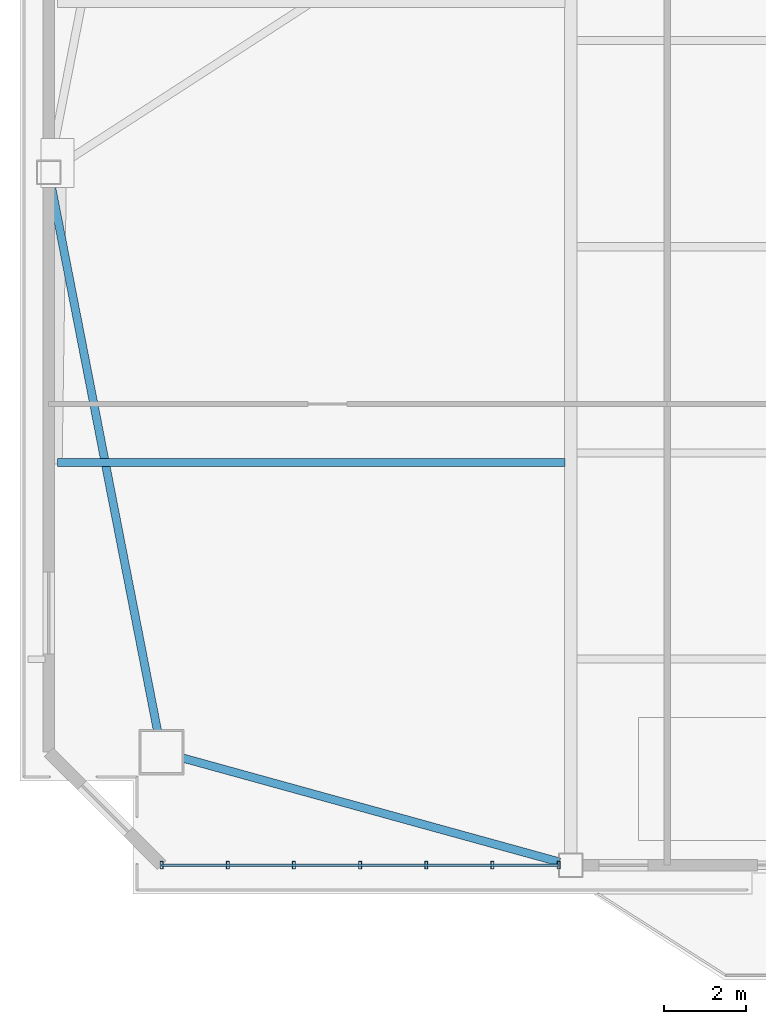
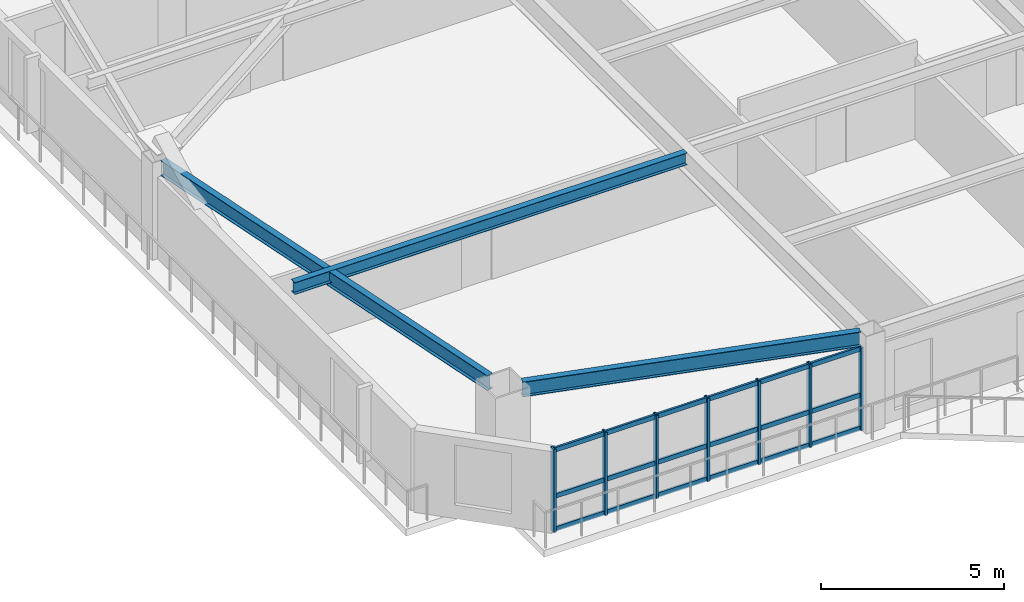
# One storey, part 2 of 17: 10 members, 3 beams, 1 element without a shape of its own.
"""IFC4 building model written with IfcOpenShell, lengths in metres."""

from ifc_helpers import new_model, si_unit, direction, frame, origin, origin_2d, place, context, subcontext, project, spatial, hollow_rectangle, i_section, extrude, source, transform, mapped, material, layer, layer_set, material_profile, profile_set, type_object, element, aggregate, save


model = new_model("IFC4")

# Units and contexts
model_context = context("Model", 3, precision=1e-05, world=origin(), true_north=direction((0.0, 1.0)))
body_context = subcontext(model_context, "Body", "Model", "MODEL_VIEW")
ifc_project = project(units=[si_unit("LENGTHUNIT", "METRE"), si_unit("AREAUNIT", "SQUARE_METRE"), si_unit("VOLUMEUNIT", "CUBIC_METRE"), si_unit("PLANEANGLEUNIT", "RADIAN"), si_unit("MASSUNIT", "GRAM", prefix="KILO")], contexts=[model_context])

# Site, building, storey
site_placement = place(None, origin())
site = spatial("IfcSite", under=ifc_project, at=site_placement, CompositionType="ELEMENT")
building_placement = place(site_placement, origin())
building = spatial("IfcBuilding", under=site, at=building_placement, Name="Giltprow Tower", CompositionType="ELEMENT")
storey_placement = place(building_placement, frame((0.0, 0.0, 216.699951171875)))
storey = spatial("IfcBuildingStorey", under=building, at=storey_placement, Name="L55", CompositionType="ELEMENT", Elevation=216.699951171875)

# Beams
ifc_material_1 = material(Name="Structural steel Q355B", Category="steel")
ifc_material_profile_1 = material_profile(ifc_material_1, i_section(OverallWidth=0.199951171875, OverallDepth=0.5, WebThickness=0.010009765625, FlangeThickness=0.01611328125, at=origin_2d()), Name="HN 500x200x10x16")
ifc_profile_set_1 = profile_set([ifc_material_profile_1], Name="Structural steel Q355B")
beam_type_1 = type_object("IfcBeamType", Name="BM-SPAN-HN500", PredefinedType="SPANDREL", material=ifc_profile_set_1)
shared_shape_1 = source(origin(), body_context, "Body", "SweptSolid", [
    extrude(i_section(OverallWidth=0.199951171875, OverallDepth=0.5, WebThickness=0.010009765625, FlangeThickness=0.01611328125, at=origin_2d()), origin(), (0.0, 0.0, 1.0), 9.530517578125),
])
beam_1_placement = place(storey_placement, frame((10.387939453125, 14.929931640625, 2.989990234375), z_axis=(0.963951167116, -0.266079212672, 0.0), x_axis=(0.266079212672, 0.963951167116, 0.0)))
element("IfcBeam", 1, at=beam_1_placement, inside=storey, type_object=beam_type_1, Name="L55 Perimeter Spandrel Beam MC_SW-S1", PredefinedType="SPANDREL", context=body_context, shape_type="MappedRepresentation", body=[
    mapped(shared_shape_1, transform((0.0, 0.0, 0.0), x_axis=(1.0, 0.0, 0.0), y_axis=(0.0, 1.0, 0.0), z_axis=(0.0, 0.0, 1.0), scale=1.0)),
])
shared_shape_2 = source(origin(), body_context, "Body", "SweptSolid", [
    extrude(i_section(OverallWidth=0.199951171875, OverallDepth=0.5, WebThickness=0.010009765625, FlangeThickness=0.01611328125, at=origin_2d()), origin(), (0.0, 0.0, 1.0), 13.582763671875),
])
beam_2_placement = place(storey_placement, frame((7.172119140625, 28.928955078125, 2.989990234375), z_axis=(0.19126414203, -0.981538602386, 0.0), x_axis=(0.981538602386, 0.19126414203, 0.0)))
element("IfcBeam", 2, at=beam_2_placement, inside=storey, type_object=beam_type_1, Name="L55 Perimeter Spandrel Beam W_MID-MC_SW", PredefinedType="SPANDREL", context=body_context, shape_type="MappedRepresentation", body=[
    mapped(shared_shape_2, transform((0.0, 0.0, 0.0), x_axis=(1.0, 0.0, 0.0), y_axis=(0.0, 1.0, 0.0), z_axis=(0.0, 0.0, 1.0), scale=1.0)),
])
ifc_material_profile_2 = material_profile(ifc_material_1, i_section(OverallWidth=0.199951171875, OverallDepth=0.39990234375, WebThickness=0.008056640625, FlangeThickness=0.012939453125, at=origin_2d()), Name="HN 400x200x8x13")
ifc_profile_set_2 = profile_set([ifc_material_profile_2], Name="Structural steel Q355B")
beam_type_2 = type_object("IfcBeamType", Name="BM-JOIST-HN400", PredefinedType="JOIST", material=ifc_profile_set_2)
shared_shape_3 = source(origin(), body_context, "Body", "SweptSolid", [
    extrude(i_section(OverallWidth=0.199951171875, OverallDepth=0.39990234375, WebThickness=0.008056640625, FlangeThickness=0.012939453125, at=origin_2d()), origin(), (0.0, 0.0, 1.0), 12.3671875),
])
beam_3_placement = place(storey_placement, frame((7.337890625, 22.139892578125, 3.0400390625), z_axis=(1.0, 0.0, 0.0), x_axis=(0.0, 1.0, 0.0)))
element("IfcBeam", 3, at=beam_3_placement, inside=storey, type_object=beam_type_2, Name="L55 West Wing Floor Joist 1", PredefinedType="JOIST", context=body_context, shape_type="MappedRepresentation", body=[
    mapped(shared_shape_3, transform((0.0, 0.0, 0.0), x_axis=(1.0, 0.0, 0.0), y_axis=(0.0, 1.0, 0.0), z_axis=(0.0, 0.0, 1.0), scale=1.0)),
])

# Curtain wall, members
ifc_material_2 = material(Name="Anodized bronze", Category="metal")
ifc_layer = layer(ifc_material_2, 0.179931640625, Name="Anodized bronze")
ifc_layer_set = layer_set([ifc_layer], Name="Anodized bronze")
curtain_wall_type = type_object("IfcCurtainWallType", Name="CW-HTL-BRONZE", PredefinedType="NOTDEFINED", material=ifc_layer_set)
curtain_wall_placement = place(storey_placement, origin())
curtain_wall = element("IfcCurtainWall", 4, at=curtain_wall_placement, inside=storey, type_object=curtain_wall_type, Name="L55 South Recessed Curtain Wall 1", PredefinedType="NOTDEFINED")
ifc_material_profile_3 = material_profile(ifc_material_2, hollow_rectangle(XDim=0.06494140625, YDim=0.14990234375, WallThickness=0.006103515625, at=origin_2d()), Name="RHS 150x65x6")
ifc_profile_set_3 = profile_set([ifc_material_profile_3], Name="Anodized bronze")
member_type_1 = type_object("IfcMemberType", Name="CW-TRANSOM-150x65", PredefinedType="USERDEFINED", material=ifc_profile_set_3)
shared_shape_4 = source(origin(), body_context, "Body", "SweptSolid", [
    extrude(hollow_rectangle(XDim=0.06494140625, YDim=0.14990234375, WallThickness=0.006103515625, at=origin_2d()), origin(), (0.0, 0.0, 1.0), 9.677978515625),
])
member_1_placement = place(storey_placement, frame((9.8720703125, 12.318115234375, 0.0400390625), z_axis=(1.0, 0.0, 0.0), x_axis=(0.0, 1.0, 0.0)))
member_1 = element("IfcMember", 5, at=member_1_placement, type_object=member_type_1, Name="L55 South Recessed Curtain Wall 1 Transom 1", ObjectType="TRANSOM", PredefinedType="USERDEFINED", context=body_context, shape_type="MappedRepresentation", body=[
    mapped(shared_shape_4, transform((0.0, 0.0, 0.0), x_axis=(1.0, 0.0, 0.0), y_axis=(0.0, 1.0, 0.0), z_axis=(0.0, 0.0, 1.0), scale=1.0)),
])
member_2_placement = place(storey_placement, frame((9.8720703125, 12.318115234375, 1.14208984375), z_axis=(1.0, 0.0, 0.0), x_axis=(0.0, 1.0, 0.0)))
member_2 = element("IfcMember", 6, at=member_2_placement, type_object=member_type_1, Name="L55 South Recessed Curtain Wall 1 Transom 2", ObjectType="TRANSOM", PredefinedType="USERDEFINED", context=body_context, shape_type="MappedRepresentation", body=[
    mapped(shared_shape_4, transform((0.0, 0.0, 0.0), x_axis=(1.0, 0.0, 0.0), y_axis=(0.0, 1.0, 0.0), z_axis=(0.0, 0.0, 1.0), scale=1.0)),
])
member_3_placement = place(storey_placement, frame((9.8720703125, 12.318115234375, 2.679931640625), z_axis=(1.0, 0.0, 0.0), x_axis=(0.0, 1.0, 0.0)))
member_3 = element("IfcMember", 7, at=member_3_placement, type_object=member_type_1, Name="L55 South Recessed Curtain Wall 1 Transom 3", ObjectType="TRANSOM", PredefinedType="USERDEFINED", context=body_context, shape_type="MappedRepresentation", body=[
    mapped(shared_shape_4, transform((0.0, 0.0, 0.0), x_axis=(1.0, 0.0, 0.0), y_axis=(0.0, 1.0, 0.0), z_axis=(0.0, 0.0, 1.0), scale=1.0)),
])
ifc_material_profile_4 = material_profile(ifc_material_2, hollow_rectangle(XDim=0.074951171875, YDim=0.179931640625, WallThickness=0.008056640625, at=origin_2d()), Name="RHS 180x75x8")
ifc_profile_set_4 = profile_set([ifc_material_profile_4], Name="Anodized bronze")
member_type_2 = type_object("IfcMemberType", Name="CW-MULLION-180x75", PredefinedType="MULLION", material=ifc_profile_set_4)
shared_shape_5 = source(origin(), body_context, "Body", "SweptSolid", [
    extrude(hollow_rectangle(XDim=0.074951171875, YDim=0.179931640625, WallThickness=0.008056640625, at=origin_2d()), origin(), (0.0, 0.0, 1.0), 2.775146484375),
])
member_4_placement = place(storey_placement, frame((9.8720703125, 12.318115234375, -0.02001953125), z_axis=(0.0, 0.0, 1.0), x_axis=(1.0, 0.0, 0.0)))
member_4 = element("IfcMember", 8, at=member_4_placement, type_object=member_type_2, Name="L55 South Recessed Curtain Wall 1 Mullion 1", PredefinedType="MULLION", context=body_context, shape_type="MappedRepresentation", body=[
    mapped(shared_shape_5, transform((0.0, 0.0, 0.0), x_axis=(1.0, 0.0, 0.0), y_axis=(0.0, 1.0, 0.0), z_axis=(0.0, 0.0, 1.0), scale=1.0)),
])
member_5_placement = place(storey_placement, frame((11.485107421875, 12.318115234375, -0.02001953125), z_axis=(0.0, 0.0, 1.0), x_axis=(1.0, 0.0, 0.0)))
member_5 = element("IfcMember", 9, at=member_5_placement, type_object=member_type_2, Name="L55 South Recessed Curtain Wall 1 Mullion 2", PredefinedType="MULLION", context=body_context, shape_type="MappedRepresentation", body=[
    mapped(shared_shape_5, transform((0.0, 0.0, 0.0), x_axis=(1.0, 0.0, 0.0), y_axis=(0.0, 1.0, 0.0), z_axis=(0.0, 0.0, 1.0), scale=1.0)),
])
member_6_placement = place(storey_placement, frame((13.097900390625, 12.318115234375, -0.02001953125), z_axis=(0.0, 0.0, 1.0), x_axis=(1.0, 0.0, 0.0)))
member_6 = element("IfcMember", 10, at=member_6_placement, type_object=member_type_2, Name="L55 South Recessed Curtain Wall 1 Mullion 3", PredefinedType="MULLION", context=body_context, shape_type="MappedRepresentation", body=[
    mapped(shared_shape_5, transform((0.0, 0.0, 0.0), x_axis=(1.0, 0.0, 0.0), y_axis=(0.0, 1.0, 0.0), z_axis=(0.0, 0.0, 1.0), scale=1.0)),
])
member_7_placement = place(storey_placement, frame((14.7109375, 12.318115234375, -0.02001953125), z_axis=(0.0, 0.0, 1.0), x_axis=(1.0, 0.0, 0.0)))
member_7 = element("IfcMember", 11, at=member_7_placement, type_object=member_type_2, Name="L55 South Recessed Curtain Wall 1 Mullion 4", PredefinedType="MULLION", context=body_context, shape_type="MappedRepresentation", body=[
    mapped(shared_shape_5, transform((0.0, 0.0, 0.0), x_axis=(1.0, 0.0, 0.0), y_axis=(0.0, 1.0, 0.0), z_axis=(0.0, 0.0, 1.0), scale=1.0)),
])
member_8_placement = place(storey_placement, frame((16.323974609375, 12.318115234375, -0.02001953125), z_axis=(0.0, 0.0, 1.0), x_axis=(1.0, 0.0, 0.0)))
member_8 = element("IfcMember", 12, at=member_8_placement, type_object=member_type_2, Name="L55 South Recessed Curtain Wall 1 Mullion 5", PredefinedType="MULLION", context=body_context, shape_type="MappedRepresentation", body=[
    mapped(shared_shape_5, transform((0.0, 0.0, 0.0), x_axis=(1.0, 0.0, 0.0), y_axis=(0.0, 1.0, 0.0), z_axis=(0.0, 0.0, 1.0), scale=1.0)),
])
member_9_placement = place(storey_placement, frame((17.93701171875, 12.318115234375, -0.02001953125), z_axis=(0.0, 0.0, 1.0), x_axis=(1.0, 0.0, 0.0)))
member_9 = element("IfcMember", 13, at=member_9_placement, type_object=member_type_2, Name="L55 South Recessed Curtain Wall 1 Mullion 6", PredefinedType="MULLION", context=body_context, shape_type="MappedRepresentation", body=[
    mapped(shared_shape_5, transform((0.0, 0.0, 0.0), x_axis=(1.0, 0.0, 0.0), y_axis=(0.0, 1.0, 0.0), z_axis=(0.0, 0.0, 1.0), scale=1.0)),
])
member_10_placement = place(storey_placement, frame((19.550048828125, 12.318115234375, -0.02001953125), z_axis=(0.0, 0.0, 1.0), x_axis=(1.0, 0.0, 0.0)))
member_10 = element("IfcMember", 14, at=member_10_placement, type_object=member_type_2, Name="L55 South Recessed Curtain Wall 1 Mullion 7", PredefinedType="MULLION", context=body_context, shape_type="MappedRepresentation", body=[
    mapped(shared_shape_5, transform((0.0, 0.0, 0.0), x_axis=(1.0, 0.0, 0.0), y_axis=(0.0, 1.0, 0.0), z_axis=(0.0, 0.0, 1.0), scale=1.0)),
])
aggregate(curtain_wall, [member_4, member_5, member_6, member_7, member_8, member_9, member_10, member_1, member_2, member_3])

save(model, "model.ifc")
